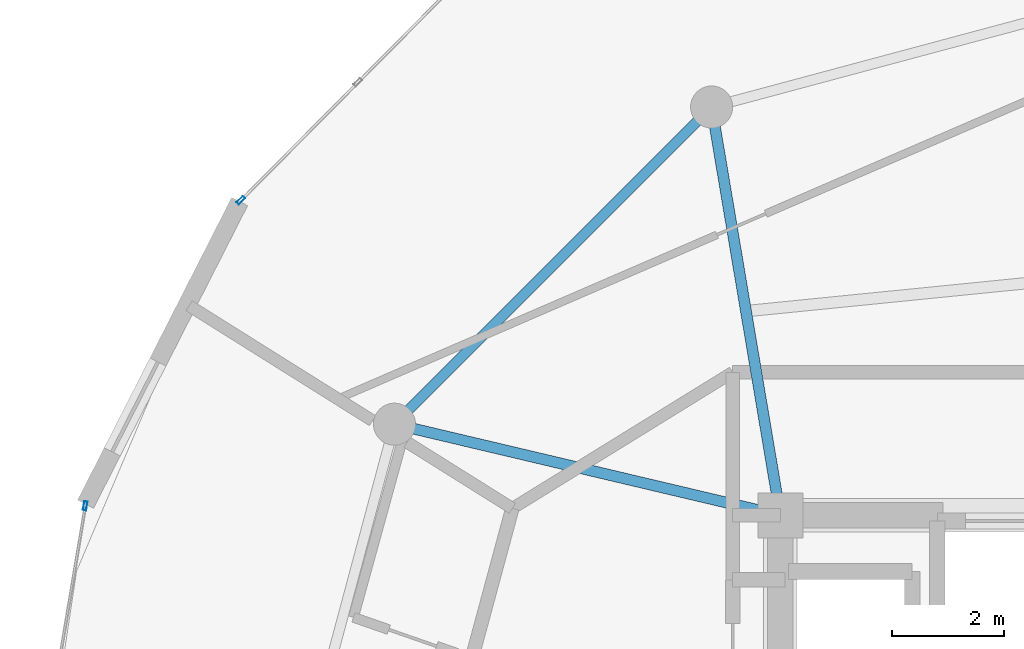
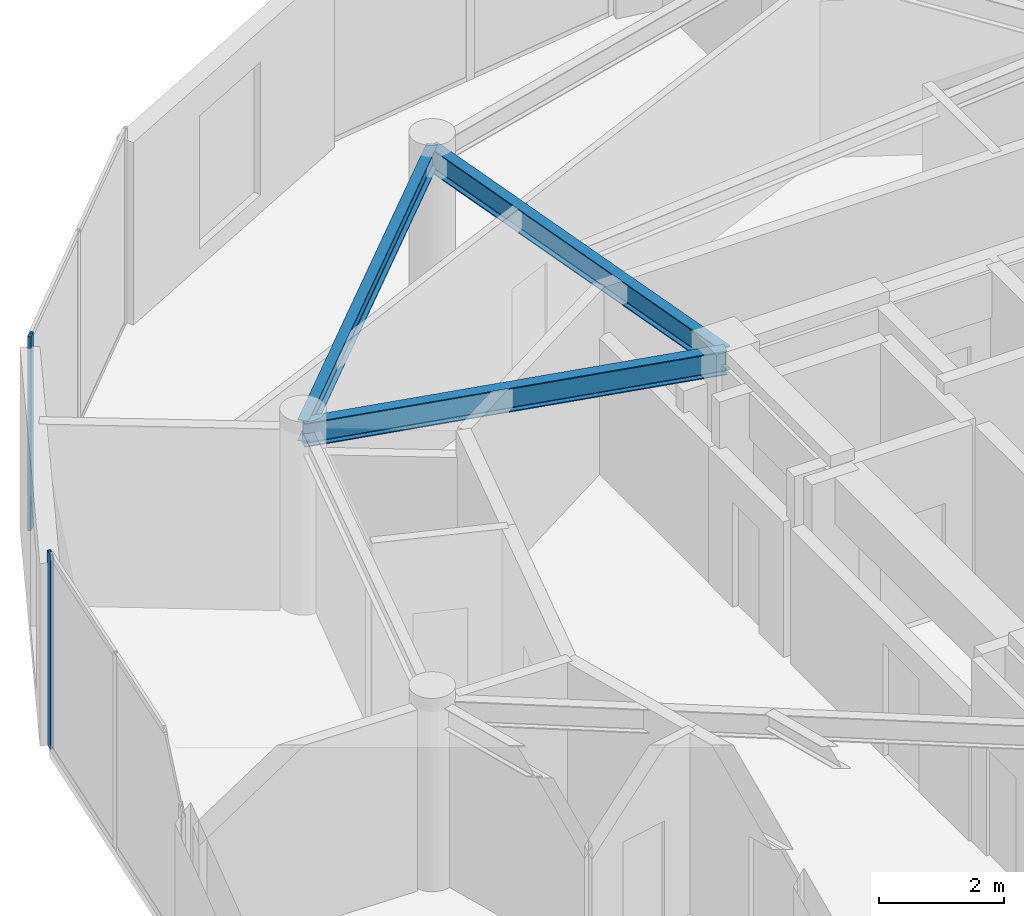
# One storey, part 9 of 23: 3 beams, 2 members, 2 elements without a shape of their own.
"""IFC4 building model written with IfcOpenShell, lengths in metres."""

from ifc_helpers import new_model, si_unit, direction, frame, origin, origin_2d, place, context, subcontext, project, spatial, hollow_rectangle, i_section, extrude, source, transform, mapped, material, layer, layer_set, material_profile, profile_set, type_object, element, aggregate, save


model = new_model("IFC4")

# Units and contexts
model_context = context("Model", 3, precision=1e-05, world=origin(), true_north=direction((0.0, 1.0)))
body_context = subcontext(model_context, "Body", "Model", "MODEL_VIEW")
ifc_project = project(units=[si_unit("LENGTHUNIT", "METRE"), si_unit("AREAUNIT", "SQUARE_METRE"), si_unit("VOLUMEUNIT", "CUBIC_METRE"), si_unit("PLANEANGLEUNIT", "RADIAN"), si_unit("MASSUNIT", "GRAM", prefix="KILO")], contexts=[model_context])

# Site, building, storey
site_placement = place(None, origin())
site = spatial("IfcSite", under=ifc_project, at=site_placement, CompositionType="ELEMENT")
building_placement = place(site_placement, origin())
building = spatial("IfcBuilding", under=site, at=building_placement, Name="Solvirekh Grand Hotel", CompositionType="ELEMENT")
storey_placement = place(building_placement, frame((0.0, 0.0, 282.0)))
storey = spatial("IfcBuildingStorey", under=building, at=storey_placement, Name="L73", CompositionType="ELEMENT", Elevation=282.0)

# Beams
ifc_material_1 = material(Name="Steel S355", Category="steel")
ifc_material_profile_1 = material_profile(ifc_material_1, i_section(OverallWidth=0.194091796875, OverallDepth=0.468994140625, WebThickness=0.010986328125, FlangeThickness=0.01904296875, FilletRadius=0.012939453125, at=origin_2d()), Name="W460X106")
ifc_profile_set_1 = profile_set([ifc_material_profile_1], Name="Steel S355")
beam_type_1 = type_object("IfcBeamType", Name="Beam_Radial_W460H", PredefinedType="BEAM", material=ifc_profile_set_1)
beam_1_placement = place(storey_placement, frame((-6.5, 6.10009765625, 3.3349609375), z_axis=(-0.165954049106, 0.986133486697, 0.0), x_axis=(-0.986133486697, -0.165954049106, 0.0)))
element("IfcBeam", 1, at=beam_1_placement, inside=storey, type_object=beam_type_1, Name="L73 radial floor beam R05", PredefinedType="BEAM", context=body_context, shape_type="SweptSolid", body=[
    extrude(i_section(OverallWidth=0.194091796875, OverallDepth=0.468994140625, WebThickness=0.010986328125, FlangeThickness=0.01904296875, FilletRadius=0.012939453125, at=origin_2d()), origin(), (0.0, 0.0, 1.0), 7.382080078125),
])
beam_2_placement = place(storey_placement, frame((-6.5, 6.10009765625, 3.3349609375), z_axis=(-0.973221147544, 0.229870828888, 0.0), x_axis=(-0.229870828888, -0.973221147544, 0.0)))
element("IfcBeam", 2, at=beam_2_placement, inside=storey, type_object=beam_type_1, Name="L73 radial floor beam R06", PredefinedType="BEAM", context=body_context, shape_type="SweptSolid", body=[
    extrude(i_section(OverallWidth=0.194091796875, OverallDepth=0.468994140625, WebThickness=0.010986328125, FlangeThickness=0.01904296875, FilletRadius=0.012939453125, at=origin_2d()), origin(), (0.0, 0.0, 1.0), 7.069091796875),
])
ifc_material_profile_2 = material_profile(ifc_material_1, i_section(OverallWidth=0.180908203125, OverallDepth=0.4169921875, WebThickness=0.010009765625, FlangeThickness=0.01611328125, FilletRadius=0.011962890625, at=origin_2d()), Name="W410X85")
ifc_profile_set_2 = profile_set([ifc_material_profile_2], Name="Steel S355")
beam_type_2 = type_object("IfcBeamType", Name="Spandrel_Ring_W410", PredefinedType="SPANDREL", material=ifc_profile_set_2)
beam_3_placement = place(storey_placement, frame((-7.72509765625, 13.3798828125, 3.361083984375), z_axis=(-0.707106781187, -0.707106781187, 0.0), x_axis=(0.707106781187, -0.707106781187, 0.0)))
element("IfcBeam", 3, at=beam_3_placement, inside=storey, type_object=beam_type_2, Name="L73 perimeter spandrel beam 5", PredefinedType="SPANDREL", context=body_context, shape_type="SweptSolid", body=[
    extrude(i_section(OverallWidth=0.180908203125, OverallDepth=0.4169921875, WebThickness=0.010009765625, FlangeThickness=0.01611328125, FilletRadius=0.011962890625, at=origin_2d()), origin(), (0.0, 0.0, 1.0), 7.9970703125),
])

# Curtain wall, member
ifc_material_2 = material(Name="Anodized Bronze Aluminium 6063-T6", Category="aluminium")
ifc_layer = layer(ifc_material_2, 0.159912109375)
ifc_layer_set = layer_set([ifc_layer], Name="Anodized Bronze Aluminium 6063-T6")
curtain_wall_type = type_object("IfcCurtainWallType", Name="CW_Sys4_HighZoneFlushBronzeCW", PredefinedType="NOTDEFINED", material=ifc_layer_set)
curtain_wall_1_placement = place(storey_placement, origin())
curtain_wall_1 = element("IfcCurtainWall", 4, at=curtain_wall_1_placement, inside=storey, type_object=curtain_wall_type, Name="L73 unitised bronze-glass curtain wall CW-L73-C13", PredefinedType="NOTDEFINED")
ifc_material_profile_3 = material_profile(ifc_material_2, hollow_rectangle(XDim=0.06005859375, YDim=0.159912109375, WallThickness=0.0048828125, at=origin_2d()), Name="ALU RHS 160X60X5")
ifc_profile_set_3 = profile_set([ifc_material_profile_3], Name="Anodized Bronze Aluminium 6063-T6")
member_type = type_object("IfcMemberType", Name="CWMullion_Sys4", PredefinedType="MULLION", material=ifc_profile_set_3)
shared_shape = source(origin(), body_context, "Body", "SweptSolid", [
    extrude(hollow_rectangle(XDim=0.06005859375, YDim=0.159912109375, WallThickness=0.0048828125, at=origin_2d()), origin(), (0.0, 0.0, 1.0), 3.800048828125),
])
member_1_placement = place(storey_placement, frame((-16.119873046875, 11.71435546875, 0.0), z_axis=(0.0, 0.0, 1.0), x_axis=(0.710107901084, -0.704092869456, 0.0)))
member_1 = element("IfcMember", 5, at=member_1_placement, type_object=member_type, Name="U04 mullion 3", PredefinedType="MULLION", context=body_context, shape_type="MappedRepresentation", body=[
    mapped(shared_shape, transform((0.0, 0.0, 0.0), x_axis=(1.0, 0.0, 0.0), y_axis=(0.0, 1.0, 0.0), z_axis=(0.0, 0.0, 1.0), scale=1.0)),
])
aggregate(curtain_wall_1, [member_1])

curtain_wall_2_placement = place(storey_placement, origin())
curtain_wall_2 = element("IfcCurtainWall", 6, at=curtain_wall_2_placement, inside=storey, type_object=curtain_wall_type, Name="L73 unitised bronze-glass curtain wall CW-L73-C15", PredefinedType="NOTDEFINED")
member_2_placement = place(storey_placement, frame((-18.89306640625, 6.26953125, 0.0), z_axis=(0.0, 0.0, 1.0), x_axis=(0.986175791289, -0.165702470338, 0.0)))
member_2 = element("IfcMember", 7, at=member_2_placement, type_object=member_type, Name="U04 mullion 1", PredefinedType="MULLION", context=body_context, shape_type="MappedRepresentation", body=[
    mapped(shared_shape, transform((0.0, 0.0, 0.0), x_axis=(1.0, 0.0, 0.0), y_axis=(0.0, 1.0, 0.0), z_axis=(0.0, 0.0, 1.0), scale=1.0)),
])
aggregate(curtain_wall_2, [member_2])

save(model, "model.ifc")
